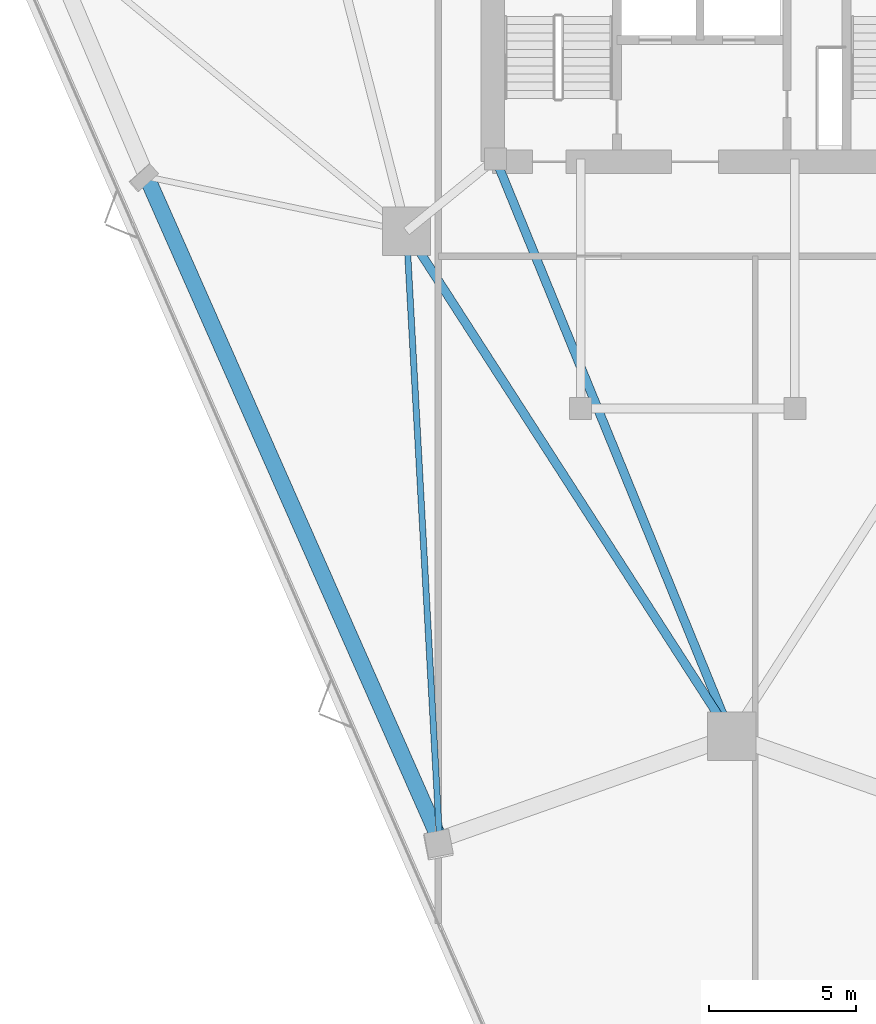
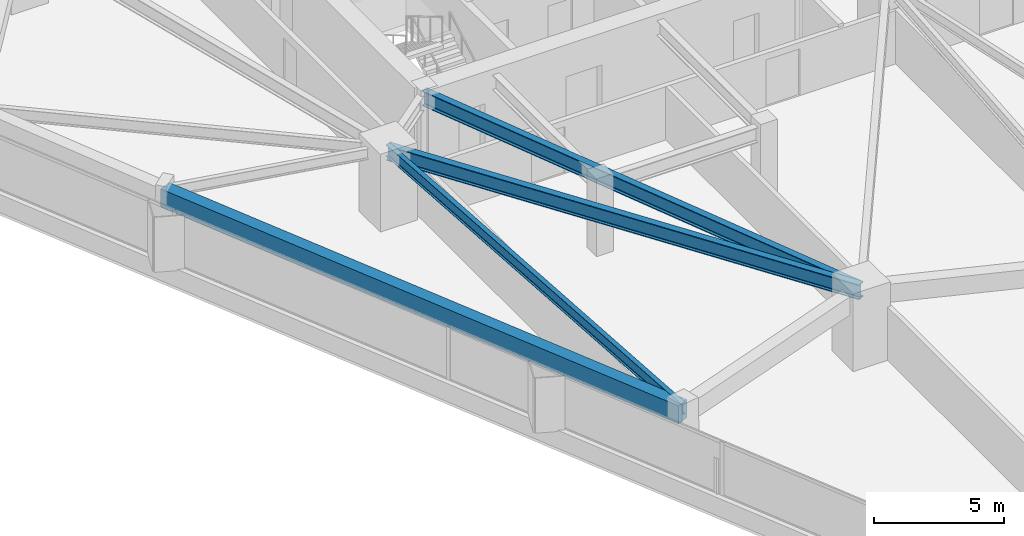
# One storey, part 3 of 17: 4 beams.
"""IFC4 building model written with IfcOpenShell, lengths in metres."""

import ifcopenshell
import ifcopenshell.guid

model = None  # the IFC model being written
_history = None  # IfcOwnerHistory: only IFC2X3 demands one
_inside = {}  # id of a spatial element -> (the spatial element, [elements in it])
_under = {}  # id of a project, library or spatial element -> (it, [spatial elements below it])
_declared = {}  # id of a project -> (the project, [libraries it declares])
_typed = {}  # id of a type object -> (the type object, [elements of that type])
_made_of = {}  # id of a material, layer set ... -> (it, [elements and type objects made of it])


def new_model(schema):
    """Start an empty IFC model of exactly this schema.

    Asked for "IFC4X3", IfcOpenShell would pick the latest addendum, in which some entities
    have other attributes; the version numbers below select the first issue.
    IFC2X3 requires an IfcOwnerHistory on every rooted entity: one is made here for all.
    """
    global model, _history
    if schema == "IFC4X3":
        model = ifcopenshell.file(schema_version=(4, 3, 0, 0))
    else:
        model = ifcopenshell.file(schema=schema)
    _inside.clear()
    _under.clear()
    _declared.clear()
    _typed.clear()
    _made_of.clear()
    _history = None
    if model.schema == "IFC2X3":
        org = make("IfcOrganization", Name="unknown")
        user = make(
            "IfcPersonAndOrganization",
            ThePerson=make("IfcPerson", FamilyName="unknown"),
            TheOrganization=org,
        )
        app = make(
            "IfcApplication",
            ApplicationDeveloper=org,
            Version="unknown",
            ApplicationFullName="unknown",
            ApplicationIdentifier="unknown",
        )
        _history = make(
            "IfcOwnerHistory",
            OwningUser=user,
            OwningApplication=app,
            ChangeAction="ADDED",
            CreationDate=0,
        )
    return model


def make(cls, **values):
    """One entity of the class cls with the attributes given. An attribute that is None is left unset."""
    return model.create_entity(
        cls, **{name: value for name, value in values.items() if value is not None}
    )


def rooted(cls, **values):
    """An entity with a GlobalId (a new one), such as an element, a storey or a relation."""
    return make(cls, GlobalId=ifcopenshell.guid.new(), OwnerHistory=_history, **values)


def si_unit(unit_type, name, prefix=None):
    """IfcSIUnit, for example si_unit("LENGTHUNIT", "METRE", prefix="MILLI")."""
    return make("IfcSIUnit", UnitType=unit_type, Prefix=prefix, Name=name)


def assignment(units):
    """IfcUnitAssignment: the units of a project."""
    return None if units is None else make("IfcUnitAssignment", Units=units)


def point(xyz):
    """IfcCartesianPoint."""
    return None if xyz is None else make("IfcCartesianPoint", Coordinates=xyz)


def direction(xyz):
    """IfcDirection."""
    return None if xyz is None else make("IfcDirection", DirectionRatios=xyz)


def frame(location, z_axis=None, x_axis=None):
    """IfcAxis2Placement3D, a coordinate frame: its origin and axes. An axis left out is left unset."""
    return make(
        "IfcAxis2Placement3D",
        Location=point(location),
        Axis=direction(z_axis),
        RefDirection=direction(x_axis),
    )


def frame_2d(location, x_axis=None):
    """IfcAxis2Placement2D, a coordinate frame in the plane: its origin and x axis."""
    return make(
        "IfcAxis2Placement2D", Location=point(location), RefDirection=direction(x_axis)
    )


def origin():
    """The frame at (0, 0, 0) with its axes left unset."""
    return frame((0.0, 0.0, 0.0))


def origin_2d():
    """The frame at (0, 0) in the plane with its x axis left unset."""
    return frame_2d((0.0, 0.0))


def place(relative_to, where):
    """IfcLocalPlacement: puts the frame where relative to a parent placement (None: the world)."""
    return make(
        "IfcLocalPlacement", PlacementRelTo=relative_to, RelativePlacement=where
    )


def context(
    kind, dimensions, precision=None, world=None, true_north=None, identifier=None
):
    """IfcGeometricRepresentationContext, for example the 3D "Model" context."""
    return make(
        "IfcGeometricRepresentationContext",
        ContextIdentifier=identifier,
        ContextType=kind,
        CoordinateSpaceDimension=dimensions,
        Precision=precision,
        WorldCoordinateSystem=world,
        TrueNorth=true_north,
    )


def subcontext(parent, identifier, kind, view, scale=None):
    """IfcGeometricRepresentationSubContext, for example "Body" below "Model"."""
    return make(
        "IfcGeometricRepresentationSubContext",
        ContextIdentifier=identifier,
        ContextType=kind,
        ParentContext=parent,
        TargetScale=scale,
        TargetView=view,
    )


def project(units=None, contexts=None):
    """IfcProject with its units and contexts."""
    return rooted(
        "IfcProject",
        Name="project",
        RepresentationContexts=contexts,
        UnitsInContext=assignment(units),
    )


def spatial(cls, under=None, at=None, **own):
    """A site, building, storey or space (cls), placed at a placement, below another one or the project."""
    s = rooted(cls, ObjectPlacement=at, **own)
    if under is not None:
        _under.setdefault(under.id(), (under, []))[1].append(s)
    return s


def profile(cls, at=None, kind="AREA", **sizes):
    """A parametric profile (cls). Its sizes go by their IFC names, for example OverallWidth=200.0."""
    return make(cls, ProfileType=kind, Position=at, **sizes)


def rectangle(**sizes):
    """IfcRectangleProfileDef."""
    return profile("IfcRectangleProfileDef", **sizes)


def i_section(**sizes):
    """IfcIShapeProfileDef."""
    return profile("IfcIShapeProfileDef", **sizes)


def extrude(swept, where, along, depth):
    """IfcExtrudedAreaSolid: the profile swept, set in the frame where, extruded along a direction by depth."""
    return make(
        "IfcExtrudedAreaSolid",
        SweptArea=swept,
        Position=where,
        ExtrudedDirection=direction(along),
        Depth=depth,
    )


def shape(context_of_items, identifier, shape_type, items):
    """IfcShapeRepresentation: the items that make up one representation, for example the "Body"."""
    return make(
        "IfcShapeRepresentation",
        ContextOfItems=context_of_items,
        RepresentationIdentifier=identifier,
        RepresentationType=shape_type,
        Items=items,
    )


def material(Name=None, Category=None):
    """IfcMaterial."""
    return make("IfcMaterial", Name=Name, Category=Category)


def material_profile(
    of_material, cross_section, Name=None, Category=None, Priority=None
):
    """IfcMaterialProfile: a cross section and its material."""
    return make(
        "IfcMaterialProfile",
        Name=Name,
        Material=of_material,
        Profile=cross_section,
        Priority=Priority,
        Category=Category,
    )


def profile_set(profiles, Name=None, composite=None):
    """IfcMaterialProfileSet."""
    return make(
        "IfcMaterialProfileSet",
        Name=Name,
        MaterialProfiles=profiles,
        CompositeProfile=composite,
    )


def made_of(thing, what):
    """Note that an element or type object is made of a material, layer set ...; save() writes the relation."""
    if what is not None:
        _made_of.setdefault(what.id(), (what, []))[1].append(thing)
    return thing


def type_object(cls, material=None, **own):
    """A type object (cls), such as IfcWallType, which elements share."""
    return made_of(rooted(cls, **own), material)


def element(
    cls,
    number,
    at=None,
    inside=None,
    cuts=None,
    type_object=None,
    material=None,
    context=None,
    identifier="Body",
    shape_type=None,
    held_by="IfcProductDefinitionShape",
    body=None,
    shapes=None,
    **own,
):
    """One element of the class cls, such as IfcWall. Its Tag is "e" and its number.

    at: its placement. inside: the storey or other place that contains it. cuts: it is an
    opening in that element (IfcRelVoidsElement). A single representation is given by context,
    identifier, shape_type and body (its items); several are given by shapes. held_by: the class
    of the entity that holds the representations. save() writes the other relations.
    """
    e = rooted(cls, Tag="e%d" % number, ObjectPlacement=at, **own)
    if body is not None:
        shapes = [shape(context, identifier, shape_type, body)]
    if shapes is not None:
        e.Representation = make(held_by, Representations=shapes)
    if inside is not None:
        _inside.setdefault(inside.id(), (inside, []))[1].append(e)
    if cuts is not None:
        rooted(
            "IfcRelVoidsElement", RelatingBuildingElement=cuts, RelatedOpeningElement=e
        )
    if type_object is not None:
        _typed.setdefault(type_object.id(), (type_object, []))[1].append(e)
    return made_of(e, material)


def aggregate(whole, parts):
    """IfcRelAggregates: a whole, such as a stair, and the parts it consists of."""
    return rooted("IfcRelAggregates", RelatingObject=whole, RelatedObjects=parts)


def save(model, path):
    """Write the relations noted so far, then the file.

    IfcRelAggregates (storeys below a building ...), IfcRelContainedInSpatialStructure (elements
    in a storey), IfcRelDefinesByType, IfcRelAssociatesMaterial and IfcRelDeclares: one each for
    every whole, place, type object, material and project.
    """
    for whole, parts in _under.values():
        aggregate(whole, parts)
    for where, things in _inside.values():
        rooted(
            "IfcRelContainedInSpatialStructure",
            RelatedElements=things,
            RelatingStructure=where,
        )
    for kind, things in _typed.values():
        rooted("IfcRelDefinesByType", RelatedObjects=things, RelatingType=kind)
    for what, things in _made_of.values():
        rooted("IfcRelAssociatesMaterial", RelatedObjects=things, RelatingMaterial=what)
    for by, libraries in _declared.values():
        rooted("IfcRelDeclares", RelatingContext=by, RelatedDefinitions=libraries)
    model.write(path)


model = new_model("IFC4")

# Units and contexts
model_context = context("Model", 3, precision=1e-05, world=origin(), true_north=direction((0.0, 1.0)))
body_context = subcontext(model_context, "Body", "Model", "MODEL_VIEW")
ifc_project = project(units=[si_unit("LENGTHUNIT", "METRE"), si_unit("AREAUNIT", "SQUARE_METRE"), si_unit("VOLUMEUNIT", "CUBIC_METRE"), si_unit("PLANEANGLEUNIT", "RADIAN"), si_unit("MASSUNIT", "GRAM", prefix="KILO")], contexts=[model_context])

# Site, building, storey
site_placement = place(None, origin())
site = spatial("IfcSite", under=ifc_project, at=site_placement, CompositionType="ELEMENT")
building_placement = place(site_placement, origin())
building = spatial("IfcBuilding", under=site, at=building_placement, Name="Talyreon Biosciences Tower", CompositionType="ELEMENT")
storey_placement = place(building_placement, frame((0.0, 0.0, 93.25)))
storey = spatial("IfcBuildingStorey", under=building, at=storey_placement, Name="L24", CompositionType="ELEMENT", Elevation=93.25)

# Beams
ifc_material_1 = material(Name="Precast concrete C45/55", Category="concrete")
ifc_material_profile_1 = material_profile(ifc_material_1, rectangle(XDim=0.550048828125, YDim=0.85009765625, at=origin_2d()), Name="RCB 550x850")
ifc_profile_set_1 = profile_set([ifc_material_profile_1], Name="Precast concrete C45/55")
beam_type_1 = type_object("IfcBeamType", Name="ExpressedSpandrel_550x850", PredefinedType="SPANDREL", material=ifc_profile_set_1)
beam_1_placement = place(storey_placement, frame((46.058349609375, 60.737548828125, 2.949951171875), z_axis=(0.404192312275, -0.914674026469, 0.0), x_axis=(0.914674026469, 0.404192312275, 0.0)))
element("IfcBeam", 1, at=beam_1_placement, inside=storey, type_object=beam_type_1, Name="L24 Expressed Horizontal Concrete Spandrel 11", PredefinedType="SPANDREL", context=body_context, shape_type="SweptSolid", body=[
    extrude(rectangle(XDim=0.550048828125, YDim=0.85009765625, at=origin_2d()), origin(), (0.0, 0.0, 1.0), 24.698974609375),
])
ifc_material_2 = material(Name="Steel SM355", Category="steel")
ifc_material_profile_2 = material_profile(ifc_material_2, i_section(OverallWidth=0.300048828125, OverallDepth=0.699951171875, WebThickness=0.01708984375, FlangeThickness=0.031982421875, FilletRadius=0.027099609375, at=origin_2d()), Name="HE700B")
ifc_profile_set_2 = profile_set([ifc_material_profile_2], Name="Steel SM355")
beam_type_2 = type_object("IfcBeamType", Name="SteelGirder_HE700B", PredefinedType="BEAM", material=ifc_profile_set_2)
beam_2_placement = place(storey_placement, frame((54.913818359375, 58.88037109375, 3.02490234375), z_axis=(0.541463723609, -0.840724114092, 0.0), x_axis=(0.840724114092, 0.541463723609, 0.0)))
element("IfcBeam", 2, at=beam_2_placement, inside=storey, type_object=beam_type_2, Name="L24 Mega-Ring Girder 6", PredefinedType="BEAM", context=body_context, shape_type="SweptSolid", body=[
    extrude(i_section(OverallWidth=0.300048828125, OverallDepth=0.699951171875, WebThickness=0.01708984375, FlangeThickness=0.031982421875, FilletRadius=0.027099609375, at=origin_2d()), origin(), (0.0, 0.0, 1.0), 20.474365234375),
])
beam_3_placement = place(storey_placement, frame((57.949951171875, 61.35009765625, 3.02490234375), z_axis=(0.378547014545, -0.925582064314, 0.0), x_axis=(0.925582064314, 0.378547014545, 0.0)))
element("IfcBeam", 3, at=beam_3_placement, inside=storey, type_object=beam_type_2, Name="L24 Radial Primary Girder 1", PredefinedType="BEAM", context=body_context, shape_type="SweptSolid", body=[
    extrude(i_section(OverallWidth=0.300048828125, OverallDepth=0.699951171875, WebThickness=0.01708984375, FlangeThickness=0.031982421875, FilletRadius=0.027099609375, at=origin_2d()), origin(), (0.0, 0.0, 1.0), 21.265625),
])
ifc_material_profile_3 = material_profile(ifc_material_2, i_section(OverallWidth=0.2099609375, OverallDepth=0.550048828125, WebThickness=0.010986328125, FlangeThickness=0.01708984375, FilletRadius=0.02392578125, at=origin_2d()), Name="IPE550")
ifc_profile_set_3 = profile_set([ifc_material_profile_3], Name="Steel SM355")
beam_type_3 = type_object("IfcBeamType", Name="SteelJoist_IPE550", PredefinedType="JOIST", material=ifc_profile_set_3)
beam_4_placement = place(storey_placement, frame((54.913818359375, 58.88037109375, 3.10009765625), z_axis=(0.05430698569, -0.998524286788, 0.0), x_axis=(0.998524286788, 0.05430698569, 0.0)))
element("IfcBeam", 4, at=beam_4_placement, inside=storey, type_object=beam_type_3, Name="L24 Radial Composite Floor Joist PC-SW2", PredefinedType="JOIST", context=body_context, shape_type="SweptSolid", body=[
    extrude(i_section(OverallWidth=0.2099609375, OverallDepth=0.550048828125, WebThickness=0.010986328125, FlangeThickness=0.01708984375, FilletRadius=0.02392578125, at=origin_2d()), origin(), (0.0, 0.0, 1.0), 20.76513671875),
])

save(model, "model.ifc")
